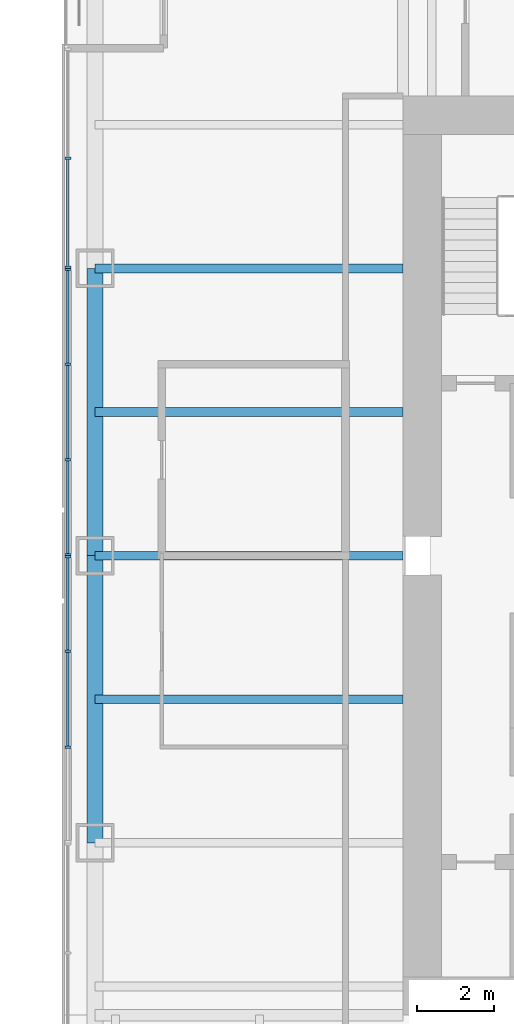
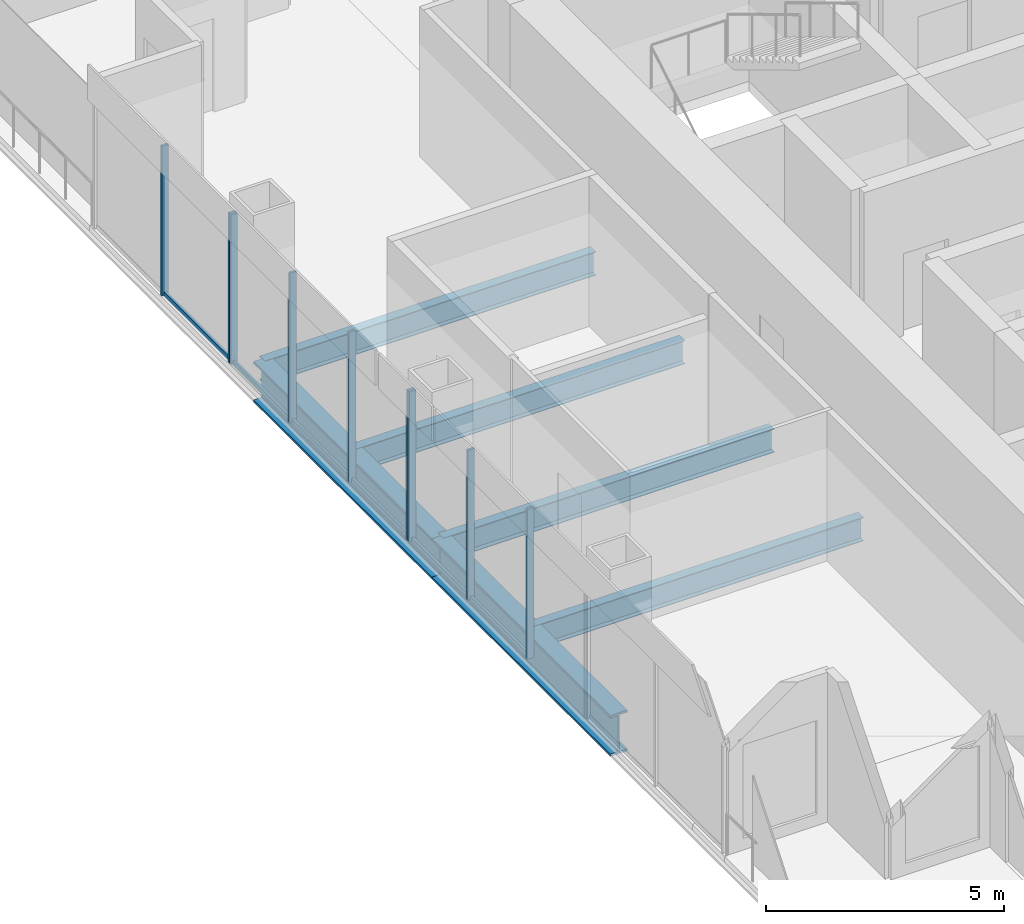
# One storey, part 4 of 14: 15 members, 6 beams, 3 elements without a shape of their own.
"""IFC4 building model written with IfcOpenShell, lengths in metres."""

from ifc_helpers import new_model, si_unit, direction, frame, origin, origin_2d, place, context, subcontext, project, spatial, rectangle, i_section, extrude, material, material_profile, profile_set, type_object, element, aggregate, save


model = new_model("IFC4")

# Units and contexts
model_context = context("Model", 3, precision=1e-05, world=origin(), true_north=direction((0.0, 1.0)))
body_context = subcontext(model_context, "Body", "Model", "MODEL_VIEW")
ifc_project = project(units=[si_unit("LENGTHUNIT", "METRE"), si_unit("AREAUNIT", "SQUARE_METRE"), si_unit("VOLUMEUNIT", "CUBIC_METRE"), si_unit("PLANEANGLEUNIT", "RADIAN"), si_unit("MASSUNIT", "GRAM", prefix="KILO")], contexts=[model_context])

# Site, building, storey
site_placement = place(None, origin())
site = spatial("IfcSite", under=ifc_project, at=site_placement, CompositionType="ELEMENT")
building_placement = place(site_placement, origin())
building = spatial("IfcBuilding", under=site, at=building_placement, Name="Tarangal Relay Tower", CompositionType="ELEMENT")
storey_placement = place(building_placement, frame((0.0, 0.0, 311.89990234375)))
storey = spatial("IfcBuildingStorey", under=building, at=storey_placement, Name="L69", CompositionType="ELEMENT", Elevation=311.89990234375)

# Beams
ifc_material_1 = material(Name="Steel ASTM A992", Category="steel")
ifc_material_profile_1 = material_profile(ifc_material_1, i_section(OverallWidth=0.41162109375, OverallDepth=1.049072265625, WebThickness=0.033935546875, FlangeThickness=0.059814453125, at=origin_2d()), Name="W40X431")
ifc_profile_set_1 = profile_set([ifc_material_profile_1], Name="Steel ASTM A992")
beam_type_1 = type_object("IfcBeamType", Name="Edge girder W40X431", PredefinedType="SPANDREL", material=ifc_profile_set_1)
for number, where, z_axis, x_axis, name in (
    (1, (-20.0400390625, -7.5, -0.67431640625), (0.0, 1.0, 0.0), (-1.0, 0.0, 0.0), "Edge girder EG1 W L69"),
    (2, (-20.0400390625, 0.0, -0.67431640625), (0.0, 1.0, 0.0), (-1.0, 0.0, 0.0), "Edge girder EG1 W L69"),
):
    element("IfcBeam", number, at=place(storey_placement, frame(where, z_axis=z_axis, x_axis=x_axis)), inside=storey, type_object=beam_type_1, Name=name, PredefinedType="SPANDREL", context=body_context, shape_type="SweptSolid", body=[
        extrude(i_section(OverallWidth=0.41162109375, OverallDepth=1.049072265625, WebThickness=0.033935546875, FlangeThickness=0.059814453125, at=origin_2d()), origin(), (0.0, 0.0, 1.0), 7.5),
    ])
ifc_material_profile_2 = material_profile(ifc_material_1, i_section(OverallWidth=0.228271484375, OverallDepth=0.607177734375, WebThickness=0.01123046875, FlangeThickness=0.017333984375, at=origin_2d()), Name="W24X76")
ifc_profile_set_2 = profile_set([ifc_material_profile_2], Name="Steel ASTM A992")
beam_type_2 = type_object("IfcBeamType", Name="Floor beam W24X76", PredefinedType="BEAM", material=ifc_profile_set_2)
for number, where, z_axis, x_axis, name in (
    (3, (-12.0, -3.75, -0.453369140625), (-1.0, 0.0, 0.0), (0.0, -1.0, 0.0), "Floor beam RB5 W L69"),
    (4, (-12.0, 0.0, -0.453369140625), (-1.0, 0.0, 0.0), (0.0, -1.0, 0.0), "Floor beam RB5 W L69"),
    (5, (-12.0, 3.75, -0.453369140625), (-1.0, 0.0, 0.0), (0.0, -1.0, 0.0), "Floor beam RB5 W L69"),
    (6, (-12.0, 7.5, -0.453369140625), (-1.0, 0.0, 0.0), (0.0, -1.0, 0.0), "Floor beam RB5 W L69"),
):
    element("IfcBeam", number, at=place(storey_placement, frame(where, z_axis=z_axis, x_axis=x_axis)), inside=storey, type_object=beam_type_2, Name=name, PredefinedType="BEAM", context=body_context, shape_type="SweptSolid", body=[
        extrude(i_section(OverallWidth=0.228271484375, OverallDepth=0.607177734375, WebThickness=0.01123046875, FlangeThickness=0.017333984375, at=origin_2d()), origin(), (0.0, 0.0, 1.0), 8.0400390625),
    ])

# Curtain wall, members
ifc_material_2 = material(Name="Unitised curtain wall, dark glass and black aluminium", Category="aluminium")
curtain_wall_type_1 = type_object("IfcCurtainWallType", Name="Curtain wall CW-B", PredefinedType="USERDEFINED", material=ifc_material_2)
curtain_wall_1_placement = place(storey_placement, origin())
curtain_wall_1 = element("IfcCurtainWall", 7, at=curtain_wall_1_placement, inside=storey, type_object=curtain_wall_type_1, Name="Curtain wall CW-B W facade L69", ObjectType="UNITISED CURTAIN WALL", PredefinedType="USERDEFINED")
ifc_material_3 = material(Name="Black anodised aluminium mullion", Category="aluminium")
ifc_material_profile_3 = material_profile(ifc_material_3, rectangle(XDim=0.159912109375, YDim=0.06005859375, at=origin_2d()), Name="CW-BM 60X160")
ifc_profile_set_3 = profile_set([ifc_material_profile_3], Name="Black anodised aluminium mullion")
member_type_1 = type_object("IfcMemberType", Name="Mullion CW-B 60 x 160", PredefinedType="MULLION", material=ifc_profile_set_3)
member_1_placement = place(storey_placement, frame((-20.75, 7.530029296875, 0.0), z_axis=(0.0, 0.0, 1.0), x_axis=(-1.0, 0.0, 0.0)))
member_1 = element("IfcMember", 8, at=member_1_placement, type_object=member_type_1, Name="CW-B mullion 1", PredefinedType="MULLION", context=body_context, shape_type="SweptSolid", body=[
    extrude(rectangle(XDim=0.159912109375, YDim=0.06005859375, at=origin_2d()), origin(), (0.0, 0.0, 1.0), 3.85009765625),
])
member_2_placement = place(storey_placement, frame((-20.75, 10.375, 0.0), z_axis=(0.0, 0.0, 1.0), x_axis=(-1.0, 0.0, 0.0)))
member_2 = element("IfcMember", 9, at=member_2_placement, type_object=member_type_1, Name="CW-B mullion 2", PredefinedType="MULLION", context=body_context, shape_type="SweptSolid", body=[
    extrude(rectangle(XDim=0.159912109375, YDim=0.06005859375, at=origin_2d()), origin(), (0.0, 0.0, 1.0), 3.85009765625),
])

ifc_material_4 = material(Name="Unitised curtain wall frame, black aluminium, with metal clad infill walls", Category="aluminium")
curtain_wall_type_2 = type_object("IfcCurtainWallType", Name="Curtain wall CW-BO", PredefinedType="USERDEFINED", material=ifc_material_4)
curtain_wall_2_placement = place(storey_placement, origin())
curtain_wall_2 = element("IfcCurtainWall", 10, at=curtain_wall_2_placement, inside=storey, type_object=curtain_wall_type_2, Name="Curtain wall CW-BO W facade L69", ObjectType="UNITISED CURTAIN WALL", PredefinedType="USERDEFINED")
ifc_material_profile_4 = material_profile(ifc_material_3, rectangle(XDim=0.159912109375, YDim=0.06005859375, at=origin_2d()), Name="CW-BOM 60X160")
ifc_profile_set_4 = profile_set([ifc_material_profile_4], Name="Black anodised aluminium mullion")
member_type_2 = type_object("IfcMemberType", Name="Mullion CW-BO 60 x 160", PredefinedType="MULLION", material=ifc_profile_set_4)
member_3_placement = place(storey_placement, frame((-20.75, -5.0, 0.0), z_axis=(0.0, 0.0, 1.0), x_axis=(-1.0, 0.0, 0.0)))
member_3 = element("IfcMember", 11, at=member_3_placement, type_object=member_type_2, Name="CW-BO mullion 2", PredefinedType="MULLION", context=body_context, shape_type="SweptSolid", body=[
    extrude(rectangle(XDim=0.159912109375, YDim=0.06005859375, at=origin_2d()), origin(), (0.0, 0.0, 1.0), 3.85009765625),
])
member_4_placement = place(storey_placement, frame((-20.75, -2.5, 0.0), z_axis=(0.0, 0.0, 1.0), x_axis=(-1.0, 0.0, 0.0)))
member_4 = element("IfcMember", 12, at=member_4_placement, type_object=member_type_2, Name="CW-BO mullion 3", PredefinedType="MULLION", context=body_context, shape_type="SweptSolid", body=[
    extrude(rectangle(XDim=0.159912109375, YDim=0.06005859375, at=origin_2d()), origin(), (0.0, 0.0, 1.0), 3.85009765625),
])
member_5_placement = place(storey_placement, frame((-20.75, -0.030029296875, 0.0), z_axis=(0.0, 0.0, 1.0), x_axis=(-1.0, 0.0, 0.0)))
member_5 = element("IfcMember", 13, at=member_5_placement, type_object=member_type_2, Name="CW-BO mullion 4", PredefinedType="MULLION", context=body_context, shape_type="SweptSolid", body=[
    extrude(rectangle(XDim=0.159912109375, YDim=0.06005859375, at=origin_2d()), origin(), (0.0, 0.0, 1.0), 3.85009765625),
])

curtain_wall_3_placement = place(storey_placement, origin())
curtain_wall_3 = element("IfcCurtainWall", 14, at=curtain_wall_3_placement, inside=storey, type_object=curtain_wall_type_2, Name="Curtain wall CW-BO W facade L69", ObjectType="UNITISED CURTAIN WALL", PredefinedType="USERDEFINED")
member_6_placement = place(storey_placement, frame((-20.75, 0.030029296875, 0.0), z_axis=(0.0, 0.0, 1.0), x_axis=(-1.0, 0.0, 0.0)))
member_6 = element("IfcMember", 15, at=member_6_placement, type_object=member_type_2, Name="CW-BO mullion 1", PredefinedType="MULLION", context=body_context, shape_type="SweptSolid", body=[
    extrude(rectangle(XDim=0.159912109375, YDim=0.06005859375, at=origin_2d()), origin(), (0.0, 0.0, 1.0), 3.85009765625),
])
member_7_placement = place(storey_placement, frame((-20.75, 2.5, 0.0), z_axis=(0.0, 0.0, 1.0), x_axis=(-1.0, 0.0, 0.0)))
member_7 = element("IfcMember", 16, at=member_7_placement, type_object=member_type_2, Name="CW-BO mullion 2", PredefinedType="MULLION", context=body_context, shape_type="SweptSolid", body=[
    extrude(rectangle(XDim=0.159912109375, YDim=0.06005859375, at=origin_2d()), origin(), (0.0, 0.0, 1.0), 3.85009765625),
])
member_8_placement = place(storey_placement, frame((-20.75, 5.0, 0.0), z_axis=(0.0, 0.0, 1.0), x_axis=(-1.0, 0.0, 0.0)))
member_8 = element("IfcMember", 17, at=member_8_placement, type_object=member_type_2, Name="CW-BO mullion 3", PredefinedType="MULLION", context=body_context, shape_type="SweptSolid", body=[
    extrude(rectangle(XDim=0.159912109375, YDim=0.06005859375, at=origin_2d()), origin(), (0.0, 0.0, 1.0), 3.85009765625),
])
member_9_placement = place(storey_placement, frame((-20.75, 7.469970703125, 0.0), z_axis=(0.0, 0.0, 1.0), x_axis=(-1.0, 0.0, 0.0)))
member_9 = element("IfcMember", 18, at=member_9_placement, type_object=member_type_2, Name="CW-BO mullion 4", PredefinedType="MULLION", context=body_context, shape_type="SweptSolid", body=[
    extrude(rectangle(XDim=0.159912109375, YDim=0.06005859375, at=origin_2d()), origin(), (0.0, 0.0, 1.0), 3.85009765625),
])

# Member
ifc_material_5 = material(Name="Black anodised aluminium transom", Category="aluminium")
ifc_material_profile_5 = material_profile(ifc_material_5, rectangle(XDim=0.06005859375, YDim=0.1298828125, at=origin_2d()), Name="CW-BT 60X130")
ifc_profile_set_5 = profile_set([ifc_material_profile_5], Name="Black anodised aluminium transom")
member_type_3 = type_object("IfcMemberType", Name="Transom CW-B 60 x 130", PredefinedType="USERDEFINED", material=ifc_profile_set_5)
member_10_placement = place(storey_placement, frame((-20.75, 7.56005859375, 0.030029296875), z_axis=(0.0, 1.0, 0.0), x_axis=(-1.0, 0.0, 0.0)))
member_10 = element("IfcMember", 19, at=member_10_placement, type_object=member_type_3, Name="CW-B transom 1.1", ObjectType="TRANSOM", PredefinedType="USERDEFINED", context=body_context, shape_type="SweptSolid", body=[
    extrude(rectangle(XDim=0.06005859375, YDim=0.1298828125, at=origin_2d()), origin(), (0.0, 0.0, 1.0), 2.784912109375),
])

aggregate(curtain_wall_1, [member_1, member_2, member_10])

ifc_material_profile_6 = material_profile(ifc_material_5, rectangle(XDim=0.06005859375, YDim=0.1298828125, at=origin_2d()), Name="CW-BOT 60X130")
ifc_profile_set_6 = profile_set([ifc_material_profile_6], Name="Black anodised aluminium transom")
member_type_4 = type_object("IfcMemberType", Name="Transom CW-BO 60 x 130", PredefinedType="USERDEFINED", material=ifc_profile_set_6)
member_11_placement = place(storey_placement, frame((-20.75, -4.969970703125, 0.030029296875), z_axis=(0.0, 1.0, 0.0), x_axis=(-1.0, 0.0, 0.0)))
member_11 = element("IfcMember", 20, at=member_11_placement, type_object=member_type_4, Name="CW-BO transom 2.1", ObjectType="TRANSOM", PredefinedType="USERDEFINED", context=body_context, shape_type="SweptSolid", body=[
    extrude(rectangle(XDim=0.06005859375, YDim=0.1298828125, at=origin_2d()), origin(), (0.0, 0.0, 1.0), 2.43994140625),
])

member_12_placement = place(storey_placement, frame((-20.75, -2.469970703125, 0.030029296875), z_axis=(0.0, 1.0, 0.0), x_axis=(-1.0, 0.0, 0.0)))
member_12 = element("IfcMember", 21, at=member_12_placement, type_object=member_type_4, Name="CW-BO transom 3.1", ObjectType="TRANSOM", PredefinedType="USERDEFINED", context=body_context, shape_type="SweptSolid", body=[
    extrude(rectangle(XDim=0.06005859375, YDim=0.1298828125, at=origin_2d()), origin(), (0.0, 0.0, 1.0), 2.409912109375),
])

aggregate(curtain_wall_2, [member_3, member_4, member_5, member_11, member_12])

member_13_placement = place(storey_placement, frame((-20.75, 0.06005859375, 0.030029296875), z_axis=(0.0, 1.0, 0.0), x_axis=(-1.0, 0.0, 0.0)))
member_13 = element("IfcMember", 22, at=member_13_placement, type_object=member_type_4, Name="CW-BO transom 1.1", ObjectType="TRANSOM", PredefinedType="USERDEFINED", context=body_context, shape_type="SweptSolid", body=[
    extrude(rectangle(XDim=0.06005859375, YDim=0.1298828125, at=origin_2d()), origin(), (0.0, 0.0, 1.0), 2.409912109375),
])

member_14_placement = place(storey_placement, frame((-20.75, 2.530029296875, 0.030029296875), z_axis=(0.0, 1.0, 0.0), x_axis=(-1.0, 0.0, 0.0)))
member_14 = element("IfcMember", 23, at=member_14_placement, type_object=member_type_4, Name="CW-BO transom 2.1", ObjectType="TRANSOM", PredefinedType="USERDEFINED", context=body_context, shape_type="SweptSolid", body=[
    extrude(rectangle(XDim=0.06005859375, YDim=0.1298828125, at=origin_2d()), origin(), (0.0, 0.0, 1.0), 2.43994140625),
])

member_15_placement = place(storey_placement, frame((-20.75, 5.030029296875, 0.030029296875), z_axis=(0.0, 1.0, 0.0), x_axis=(-1.0, 0.0, 0.0)))
member_15 = element("IfcMember", 24, at=member_15_placement, type_object=member_type_4, Name="CW-BO transom 3.1", ObjectType="TRANSOM", PredefinedType="USERDEFINED", context=body_context, shape_type="SweptSolid", body=[
    extrude(rectangle(XDim=0.06005859375, YDim=0.1298828125, at=origin_2d()), origin(), (0.0, 0.0, 1.0), 2.409912109375),
])

aggregate(curtain_wall_3, [member_6, member_7, member_8, member_9, member_13, member_14, member_15])

save(model, "model.ifc")
